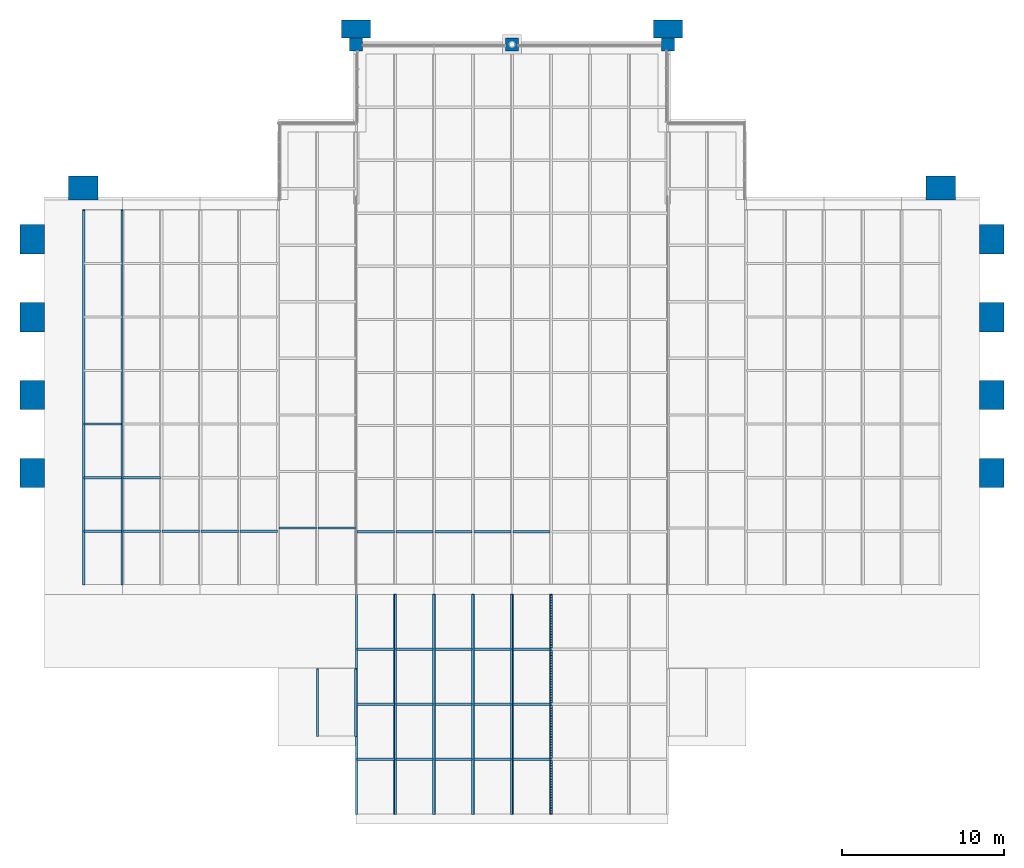
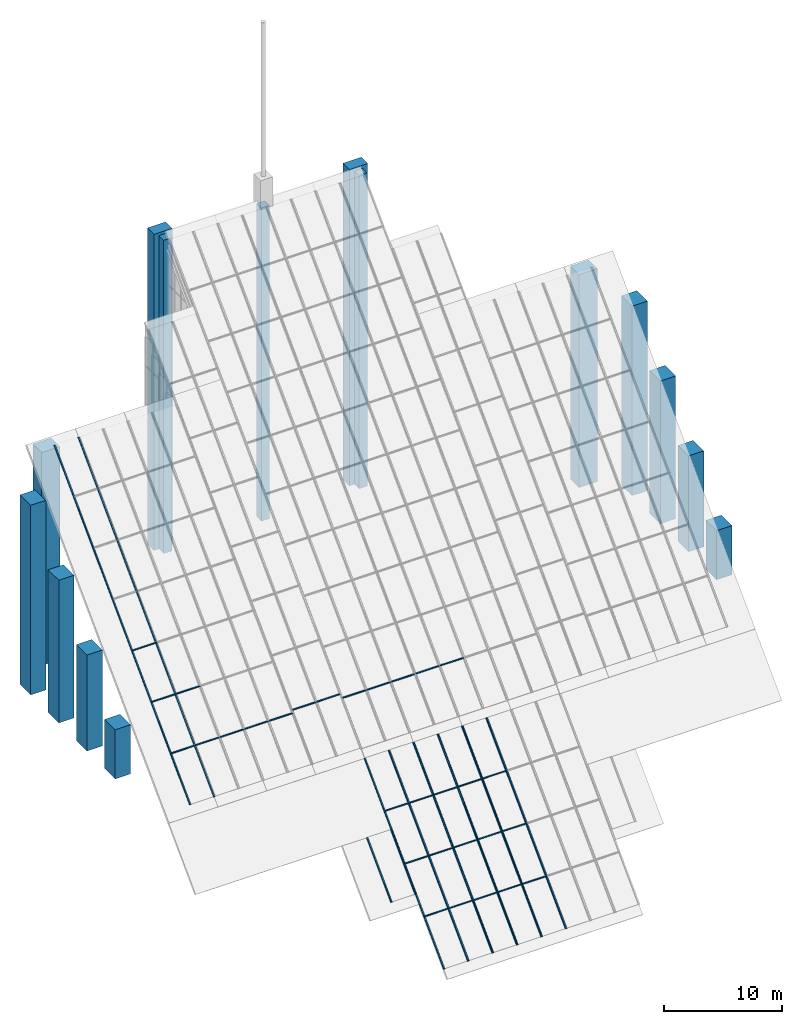
# One storey, part 1 of 25: 45 members, 15 columns, 19 elements without a shape of their own.
"""IFC4 building model written with IfcOpenShell, lengths in metres."""

import ifcopenshell
import ifcopenshell.guid

model = None  # the IFC model being written
_history = None  # IfcOwnerHistory: only IFC2X3 demands one
_inside = {}  # id of a spatial element -> (the spatial element, [elements in it])
_under = {}  # id of a project, library or spatial element -> (it, [spatial elements below it])
_declared = {}  # id of a project -> (the project, [libraries it declares])
_typed = {}  # id of a type object -> (the type object, [elements of that type])
_made_of = {}  # id of a material, layer set ... -> (it, [elements and type objects made of it])


def new_model(schema):
    """Start an empty IFC model of exactly this schema.

    Asked for "IFC4X3", IfcOpenShell would pick the latest addendum, in which some entities
    have other attributes; the version numbers below select the first issue.
    IFC2X3 requires an IfcOwnerHistory on every rooted entity: one is made here for all.
    """
    global model, _history
    if schema == "IFC4X3":
        model = ifcopenshell.file(schema_version=(4, 3, 0, 0))
    else:
        model = ifcopenshell.file(schema=schema)
    _inside.clear()
    _under.clear()
    _declared.clear()
    _typed.clear()
    _made_of.clear()
    _history = None
    if model.schema == "IFC2X3":
        org = make("IfcOrganization", Name="unknown")
        user = make(
            "IfcPersonAndOrganization",
            ThePerson=make("IfcPerson", FamilyName="unknown"),
            TheOrganization=org,
        )
        app = make(
            "IfcApplication",
            ApplicationDeveloper=org,
            Version="unknown",
            ApplicationFullName="unknown",
            ApplicationIdentifier="unknown",
        )
        _history = make(
            "IfcOwnerHistory",
            OwningUser=user,
            OwningApplication=app,
            ChangeAction="ADDED",
            CreationDate=0,
        )
    return model


def make(cls, **values):
    """One entity of the class cls with the attributes given. An attribute that is None is left unset."""
    return model.create_entity(
        cls, **{name: value for name, value in values.items() if value is not None}
    )


def rooted(cls, **values):
    """An entity with a GlobalId (a new one), such as an element, a storey or a relation."""
    return make(cls, GlobalId=ifcopenshell.guid.new(), OwnerHistory=_history, **values)


def si_unit(unit_type, name, prefix=None):
    """IfcSIUnit, for example si_unit("LENGTHUNIT", "METRE", prefix="MILLI")."""
    return make("IfcSIUnit", UnitType=unit_type, Prefix=prefix, Name=name)


def assignment(units):
    """IfcUnitAssignment: the units of a project."""
    return None if units is None else make("IfcUnitAssignment", Units=units)


def point(xyz):
    """IfcCartesianPoint."""
    return None if xyz is None else make("IfcCartesianPoint", Coordinates=xyz)


def direction(xyz):
    """IfcDirection."""
    return None if xyz is None else make("IfcDirection", DirectionRatios=xyz)


def frame(location, z_axis=None, x_axis=None):
    """IfcAxis2Placement3D, a coordinate frame: its origin and axes. An axis left out is left unset."""
    return make(
        "IfcAxis2Placement3D",
        Location=point(location),
        Axis=direction(z_axis),
        RefDirection=direction(x_axis),
    )


def frame_2d(location, x_axis=None):
    """IfcAxis2Placement2D, a coordinate frame in the plane: its origin and x axis."""
    return make(
        "IfcAxis2Placement2D", Location=point(location), RefDirection=direction(x_axis)
    )


def origin():
    """The frame at (0, 0, 0) with its axes left unset."""
    return frame((0.0, 0.0, 0.0))


def origin_2d():
    """The frame at (0, 0) in the plane with its x axis left unset."""
    return frame_2d((0.0, 0.0))


def place(relative_to, where):
    """IfcLocalPlacement: puts the frame where relative to a parent placement (None: the world)."""
    return make(
        "IfcLocalPlacement", PlacementRelTo=relative_to, RelativePlacement=where
    )


def context(
    kind, dimensions, precision=None, world=None, true_north=None, identifier=None
):
    """IfcGeometricRepresentationContext, for example the 3D "Model" context."""
    return make(
        "IfcGeometricRepresentationContext",
        ContextIdentifier=identifier,
        ContextType=kind,
        CoordinateSpaceDimension=dimensions,
        Precision=precision,
        WorldCoordinateSystem=world,
        TrueNorth=true_north,
    )


def subcontext(parent, identifier, kind, view, scale=None):
    """IfcGeometricRepresentationSubContext, for example "Body" below "Model"."""
    return make(
        "IfcGeometricRepresentationSubContext",
        ContextIdentifier=identifier,
        ContextType=kind,
        ParentContext=parent,
        TargetScale=scale,
        TargetView=view,
    )


def project(units=None, contexts=None):
    """IfcProject with its units and contexts."""
    return rooted(
        "IfcProject",
        Name="project",
        RepresentationContexts=contexts,
        UnitsInContext=assignment(units),
    )


def spatial(cls, under=None, at=None, **own):
    """A site, building, storey or space (cls), placed at a placement, below another one or the project."""
    s = rooted(cls, ObjectPlacement=at, **own)
    if under is not None:
        _under.setdefault(under.id(), (under, []))[1].append(s)
    return s


def profile(cls, at=None, kind="AREA", **sizes):
    """A parametric profile (cls). Its sizes go by their IFC names, for example OverallWidth=200.0."""
    return make(cls, ProfileType=kind, Position=at, **sizes)


def rectangle(**sizes):
    """IfcRectangleProfileDef."""
    return profile("IfcRectangleProfileDef", **sizes)


def extrude(swept, where, along, depth):
    """IfcExtrudedAreaSolid: the profile swept, set in the frame where, extruded along a direction by depth."""
    return make(
        "IfcExtrudedAreaSolid",
        SweptArea=swept,
        Position=where,
        ExtrudedDirection=direction(along),
        Depth=depth,
    )


def shape(context_of_items, identifier, shape_type, items):
    """IfcShapeRepresentation: the items that make up one representation, for example the "Body"."""
    return make(
        "IfcShapeRepresentation",
        ContextOfItems=context_of_items,
        RepresentationIdentifier=identifier,
        RepresentationType=shape_type,
        Items=items,
    )


def material(Name=None, Category=None):
    """IfcMaterial."""
    return make("IfcMaterial", Name=Name, Category=Category)


def material_profile(
    of_material, cross_section, Name=None, Category=None, Priority=None
):
    """IfcMaterialProfile: a cross section and its material."""
    return make(
        "IfcMaterialProfile",
        Name=Name,
        Material=of_material,
        Profile=cross_section,
        Priority=Priority,
        Category=Category,
    )


def profile_set(profiles, Name=None, composite=None):
    """IfcMaterialProfileSet."""
    return make(
        "IfcMaterialProfileSet",
        Name=Name,
        MaterialProfiles=profiles,
        CompositeProfile=composite,
    )


def made_of(thing, what):
    """Note that an element or type object is made of a material, layer set ...; save() writes the relation."""
    if what is not None:
        _made_of.setdefault(what.id(), (what, []))[1].append(thing)
    return thing


def type_object(cls, material=None, **own):
    """A type object (cls), such as IfcWallType, which elements share."""
    return made_of(rooted(cls, **own), material)


def element(
    cls,
    number,
    at=None,
    inside=None,
    cuts=None,
    type_object=None,
    material=None,
    context=None,
    identifier="Body",
    shape_type=None,
    held_by="IfcProductDefinitionShape",
    body=None,
    shapes=None,
    **own,
):
    """One element of the class cls, such as IfcWall. Its Tag is "e" and its number.

    at: its placement. inside: the storey or other place that contains it. cuts: it is an
    opening in that element (IfcRelVoidsElement). A single representation is given by context,
    identifier, shape_type and body (its items); several are given by shapes. held_by: the class
    of the entity that holds the representations. save() writes the other relations.
    """
    e = rooted(cls, Tag="e%d" % number, ObjectPlacement=at, **own)
    if body is not None:
        shapes = [shape(context, identifier, shape_type, body)]
    if shapes is not None:
        e.Representation = make(held_by, Representations=shapes)
    if inside is not None:
        _inside.setdefault(inside.id(), (inside, []))[1].append(e)
    if cuts is not None:
        rooted(
            "IfcRelVoidsElement", RelatingBuildingElement=cuts, RelatedOpeningElement=e
        )
    if type_object is not None:
        _typed.setdefault(type_object.id(), (type_object, []))[1].append(e)
    return made_of(e, material)


def aggregate(whole, parts):
    """IfcRelAggregates: a whole, such as a stair, and the parts it consists of."""
    return rooted("IfcRelAggregates", RelatingObject=whole, RelatedObjects=parts)


def save(model, path):
    """Write the relations noted so far, then the file.

    IfcRelAggregates (storeys below a building ...), IfcRelContainedInSpatialStructure (elements
    in a storey), IfcRelDefinesByType, IfcRelAssociatesMaterial and IfcRelDeclares: one each for
    every whole, place, type object, material and project.
    """
    for whole, parts in _under.values():
        aggregate(whole, parts)
    for where, things in _inside.values():
        rooted(
            "IfcRelContainedInSpatialStructure",
            RelatedElements=things,
            RelatingStructure=where,
        )
    for kind, things in _typed.values():
        rooted("IfcRelDefinesByType", RelatedObjects=things, RelatingType=kind)
    for what, things in _made_of.values():
        rooted("IfcRelAssociatesMaterial", RelatedObjects=things, RelatingMaterial=what)
    for by, libraries in _declared.values():
        rooted("IfcRelDeclares", RelatingContext=by, RelatedDefinitions=libraries)
    model.write(path)


model = new_model("IFC4")

# Units and contexts
model_context = context("Model", 3, precision=1e-05, world=origin(), true_north=direction((0.0, 1.0)))
body_context = subcontext(model_context, "Body", "Model", "MODEL_VIEW")
ifc_project = project(units=[si_unit("LENGTHUNIT", "METRE"), si_unit("AREAUNIT", "SQUARE_METRE"), si_unit("VOLUMEUNIT", "CUBIC_METRE"), si_unit("PLANEANGLEUNIT", "RADIAN"), si_unit("MASSUNIT", "GRAM", prefix="KILO")], contexts=[model_context])

# Site, building, storey
site_placement = place(None, origin())
site = spatial("IfcSite", under=ifc_project, at=site_placement, CompositionType="ELEMENT")
building_placement = place(site_placement, origin())
building = spatial("IfcBuilding", under=site, at=building_placement, Name="Baori Bourse Tower", CompositionType="ELEMENT")
storey_placement = place(building_placement, frame((0.0, 0.0, 378.300048828125)))
storey = spatial("IfcBuildingStorey", under=building, at=storey_placement, Name="Roof", CompositionType="ELEMENT", Elevation=378.300048828125)

# Columns
ifc_material_1 = material(Name="Concrete f'c 60 MPa", Category="concrete")
ifc_material_profile_1 = material_profile(ifc_material_1, rectangle(XDim=1.800048828125, YDim=1.10009765625, at=origin_2d()), Name="RC 1800x1100")
ifc_profile_set_1 = profile_set([ifc_material_profile_1], Name="Concrete f'c 60 MPa")
column_type_1 = type_object("IfcColumnType", Name="FN3 Brick pilaster 1800x1100", PredefinedType="PILASTER", material=ifc_profile_set_1)
for number, where, z_axis, x_axis, name in (
    (1, (19.199951171875, 48.949951171875, 0.0), (0.0, 0.0, 1.0), (1.0, 0.0, 0.0), "Brick pilaster Roof 1"),
    (2, (38.39990234375, 48.949951171875, 0.0), (0.0, 0.0, 1.0), (1.0, 0.0, 0.0), "Brick pilaster Roof 2"),
):
    element("IfcColumn", number, at=place(storey_placement, frame(where, z_axis=z_axis, x_axis=x_axis)), inside=storey, type_object=column_type_1, Name=name, PredefinedType="PILASTER", context=body_context, shape_type="SweptSolid", body=[
        extrude(rectangle(XDim=1.800048828125, YDim=1.10009765625, at=origin_2d()), origin(), (0.0, 0.0, 1.0), 32.849853515625),
    ])
ifc_material_2 = material(Name="Concrete f'c 60 MPa", Category="concrete")
ifc_material_profile_2 = material_profile(ifc_material_2, rectangle(XDim=1.800048828125, YDim=1.5, at=origin_2d()), Name="RC 1800x1500")
ifc_profile_set_2 = profile_set([ifc_material_profile_2], Name="Concrete f'c 60 MPa")
column_type_2 = type_object("IfcColumnType", Name="FN4 Brick flank pilaster 1800x1500", PredefinedType="PILASTER", material=ifc_profile_set_2)
column_1_placement = place(storey_placement, frame((-0.75, 21.60009765625, 0.0), z_axis=(0.0, 0.0, 1.0), x_axis=(0.0, 1.0, 0.0)))
element("IfcColumn", 3, at=column_1_placement, inside=storey, type_object=column_type_2, Name="Brick pilaster Roof 3", PredefinedType="PILASTER", context=body_context, shape_type="SweptSolid", body=[
    extrude(rectangle(XDim=1.800048828125, YDim=1.5, at=origin_2d()), origin(), (0.0, 0.0, 1.0), 5.107421875),
])
column_2_placement = place(storey_placement, frame((-0.75, 26.39990234375, 0.0), z_axis=(0.0, 0.0, 1.0), x_axis=(0.0, 1.0, 0.0)))
element("IfcColumn", 4, at=column_2_placement, inside=storey, type_object=column_type_2, Name="Brick pilaster Roof 4", PredefinedType="PILASTER", context=body_context, shape_type="SweptSolid", body=[
    extrude(rectangle(XDim=1.800048828125, YDim=1.5, at=origin_2d()), origin(), (0.0, 0.0, 1.0), 9.967529296875),
])
column_3_placement = place(storey_placement, frame((-0.75, 31.199951171875, 0.0), z_axis=(0.0, 0.0, 1.0), x_axis=(0.0, 1.0, 0.0)))
element("IfcColumn", 5, at=column_3_placement, inside=storey, type_object=column_type_2, Name="Brick pilaster Roof 5", PredefinedType="PILASTER", context=body_context, shape_type="SweptSolid", body=[
    extrude(rectangle(XDim=1.800048828125, YDim=1.5, at=origin_2d()), origin(), (0.0, 0.0, 1.0), 14.827392578125),
])
column_4_placement = place(storey_placement, frame((-0.75, 36.0, 0.0), z_axis=(0.0, 0.0, 1.0), x_axis=(0.0, 1.0, 0.0)))
element("IfcColumn", 6, at=column_4_placement, inside=storey, type_object=column_type_2, Name="Brick pilaster Roof 6", PredefinedType="PILASTER", context=body_context, shape_type="SweptSolid", body=[
    extrude(rectangle(XDim=1.800048828125, YDim=1.5, at=origin_2d()), origin(), (0.0, 0.0, 1.0), 19.6875),
])
column_5_placement = place(storey_placement, frame((58.35009765625, 21.60009765625, 0.0), z_axis=(0.0, 0.0, 1.0), x_axis=(0.0, 1.0, 0.0)))
element("IfcColumn", 7, at=column_5_placement, inside=storey, type_object=column_type_2, Name="Brick pilaster Roof 7", PredefinedType="PILASTER", context=body_context, shape_type="SweptSolid", body=[
    extrude(rectangle(XDim=1.800048828125, YDim=1.5, at=origin_2d()), origin(), (0.0, 0.0, 1.0), 5.107421875),
])
column_6_placement = place(storey_placement, frame((58.35009765625, 26.39990234375, 0.0), z_axis=(0.0, 0.0, 1.0), x_axis=(0.0, 1.0, 0.0)))
element("IfcColumn", 8, at=column_6_placement, inside=storey, type_object=column_type_2, Name="Brick pilaster Roof 8", PredefinedType="PILASTER", context=body_context, shape_type="SweptSolid", body=[
    extrude(rectangle(XDim=1.800048828125, YDim=1.5, at=origin_2d()), origin(), (0.0, 0.0, 1.0), 9.967529296875),
])
column_7_placement = place(storey_placement, frame((58.35009765625, 31.199951171875, 0.0), z_axis=(0.0, 0.0, 1.0), x_axis=(0.0, 1.0, 0.0)))
element("IfcColumn", 9, at=column_7_placement, inside=storey, type_object=column_type_2, Name="Brick pilaster Roof 9", PredefinedType="PILASTER", context=body_context, shape_type="SweptSolid", body=[
    extrude(rectangle(XDim=1.800048828125, YDim=1.5, at=origin_2d()), origin(), (0.0, 0.0, 1.0), 14.827392578125),
])
column_8_placement = place(storey_placement, frame((58.35009765625, 36.0, 0.0), z_axis=(0.0, 0.0, 1.0), x_axis=(0.0, 1.0, 0.0)))
element("IfcColumn", 10, at=column_8_placement, inside=storey, type_object=column_type_2, Name="Brick pilaster Roof 10", PredefinedType="PILASTER", context=body_context, shape_type="SweptSolid", body=[
    extrude(rectangle(XDim=1.800048828125, YDim=1.5, at=origin_2d()), origin(), (0.0, 0.0, 1.0), 19.6875),
])
for number, where, z_axis, x_axis, name in (
    (11, (55.199951171875, 39.14990234375, 0.0), (0.0, 0.0, 1.0), (1.0, 0.0, 0.0), "Brick pilaster Roof 11"),
    (12, (2.39990234375, 39.14990234375, 0.0), (0.0, 0.0, 1.0), (1.0, 0.0, 0.0), "Brick pilaster Roof 12"),
):
    element("IfcColumn", number, at=place(storey_placement, frame(where, z_axis=z_axis, x_axis=x_axis)), inside=storey, type_object=column_type_2, Name=name, PredefinedType="PILASTER", context=body_context, shape_type="SweptSolid", body=[
        extrude(rectangle(XDim=1.800048828125, YDim=1.5, at=origin_2d()), origin(), (0.0, 0.0, 1.0), 22.117431640625),
    ])
ifc_material_3 = material(Name="Concrete f'c 40 MPa", Category="concrete")
ifc_material_profile_3 = material_profile(ifc_material_3, rectangle(XDim=0.800048828125, YDim=0.800048828125, at=origin_2d()), Name="RC 800x800")
ifc_profile_set_3 = profile_set([ifc_material_profile_3], Name="Concrete f'c 40 MPa")
column_type_3 = type_object("IfcColumnType", Name="Perimeter column 40 RC 800x800", PredefinedType="COLUMN", material=ifc_profile_set_3)
for number, where, z_axis, x_axis, name in (
    (13, (19.199951171875, 48.0, 0.0), (0.0, 0.0, 1.0), (1.0, 0.0, 0.0), "Perimeter column Roof"),
    (14, (28.800048828125, 48.0, 0.0), (0.0, 0.0, 1.0), (1.0, 0.0, 0.0), "Perimeter column Roof"),
    (15, (38.39990234375, 48.0, 0.0), (0.0, 0.0, 1.0), (1.0, 0.0, 0.0), "Perimeter column Roof"),
):
    element("IfcColumn", number, at=place(storey_placement, frame(where, z_axis=z_axis, x_axis=x_axis)), inside=storey, type_object=column_type_3, Name=name, PredefinedType="COLUMN", context=body_context, shape_type="SweptSolid", body=[
        extrude(rectangle(XDim=0.800048828125, YDim=0.800048828125, at=origin_2d()), origin(), (0.0, 0.0, 1.0), 32.541748046875),
    ])

# Curtain wall, members
ifc_material_4 = material(Name="Pale anodised aluminium", Category="aluminium")
curtain_wall_type = type_object("IfcCurtainWallType", Name="CW4 Curtain wall", PredefinedType="NOTDEFINED", material=ifc_material_4)
curtain_wall_1_placement = place(storey_placement, origin())
curtain_wall_1 = element("IfcCurtainWall", 16, at=curtain_wall_1_placement, inside=storey, type_object=curtain_wall_type, Name="Curtain wall CW4 roof glazing 1", PredefinedType="NOTDEFINED")
ifc_material_5 = material(Name="Pale anodised aluminium", Category="aluminium")
ifc_material_profile_4 = material_profile(ifc_material_5, rectangle(XDim=0.139892578125, YDim=0.050048828125, at=origin_2d()), Name="Mullion 50x140")
ifc_profile_set_4 = profile_set([ifc_material_profile_4], Name="Pale anodised aluminium")
member_type_1 = type_object("IfcMemberType", Name="CW4 Curtain wall mullion", PredefinedType="MULLION", material=ifc_profile_set_4)
member_1_placement = place(storey_placement, frame((2.425048828125, 14.723388671875, -0.407470703125), z_axis=(0.0, 0.702703210407, 0.711483097539), x_axis=(-1.0, 0.0, 0.0)))
member_1 = element("IfcMember", 17, at=member_1_placement, type_object=member_type_1, Name="Curtain wall CW4 rail 1.1", PredefinedType="MULLION", context=body_context, shape_type="SweptSolid", body=[
    extrude(rectangle(XDim=0.139892578125, YDim=0.050048828125, at=origin_2d()), origin(), (0.0, 0.0, 1.0), 32.83984375),
])
member_2_placement = place(storey_placement, frame((4.77490234375, 14.723388671875, -0.407470703125), z_axis=(0.0, 0.702703210407, 0.711483097539), x_axis=(-1.0, 0.0, 0.0)))
member_2 = element("IfcMember", 18, at=member_2_placement, type_object=member_type_1, Name="Curtain wall CW4 rail 1.2", PredefinedType="MULLION", context=body_context, shape_type="SweptSolid", body=[
    extrude(rectangle(XDim=0.139892578125, YDim=0.050048828125, at=origin_2d()), origin(), (0.0, 0.0, 1.0), 32.83984375),
])

curtain_wall_2_placement = place(storey_placement, origin())
curtain_wall_2 = element("IfcCurtainWall", 19, at=curtain_wall_2_placement, inside=storey, type_object=curtain_wall_type, Name="Curtain wall CW4 roof glazing 8", PredefinedType="NOTDEFINED")
member_3_placement = place(storey_placement, frame((16.824951171875, 5.39990234375, -9.932861328125), z_axis=(0.0, 0.702711334446, 0.711475073661), x_axis=(-1.0, 0.0, 0.0)))
member_3 = element("IfcMember", 20, at=member_3_placement, type_object=member_type_1, Name="Curtain wall CW4 rail 8.1", PredefinedType="MULLION", context=body_context, shape_type="SweptSolid", body=[
    extrude(rectangle(XDim=0.139892578125, YDim=0.050048828125, at=origin_2d()), origin(), (0.0, 0.0, 1.0), 5.906005859375),
])
member_4_placement = place(storey_placement, frame((19.175048828125, 5.39990234375, -9.932861328125), z_axis=(0.0, 0.702711334446, 0.711475073661), x_axis=(-1.0, 0.0, 0.0)))
member_4 = element("IfcMember", 21, at=member_4_placement, type_object=member_type_1, Name="Curtain wall CW4 rail 8.2", PredefinedType="MULLION", context=body_context, shape_type="SweptSolid", body=[
    extrude(rectangle(XDim=0.139892578125, YDim=0.050048828125, at=origin_2d()), origin(), (0.0, 0.0, 1.0), 5.906005859375),
])
aggregate(curtain_wall_2, [member_3, member_4])

curtain_wall_3_placement = place(storey_placement, origin())
curtain_wall_3 = element("IfcCurtainWall", 22, at=curtain_wall_3_placement, inside=storey, type_object=curtain_wall_type, Name="Curtain wall CW4 roof glazing 10", PredefinedType="NOTDEFINED")
member_5_placement = place(storey_placement, frame((19.22509765625, 0.60009765625, -14.79296875), z_axis=(0.0, 0.702697770949, 0.711488469831), x_axis=(-1.0, 0.0, 0.0)))
member_5 = element("IfcMember", 23, at=member_5_placement, type_object=member_type_1, Name="Curtain wall CW4 rail 10.1", PredefinedType="MULLION", context=body_context, shape_type="SweptSolid", body=[
    extrude(rectangle(XDim=0.139892578125, YDim=0.050048828125, at=origin_2d()), origin(), (0.0, 0.0, 1.0), 19.246337890625),
])
member_6_placement = place(storey_placement, frame((21.574951171875, 0.60009765625, -14.79296875), z_axis=(0.0, 0.702697770949, 0.711488469831), x_axis=(-1.0, 0.0, 0.0)))
member_6 = element("IfcMember", 24, at=member_6_placement, type_object=member_type_1, Name="Curtain wall CW4 rail 10.2", PredefinedType="MULLION", context=body_context, shape_type="SweptSolid", body=[
    extrude(rectangle(XDim=0.139892578125, YDim=0.050048828125, at=origin_2d()), origin(), (0.0, 0.0, 1.0), 19.246337890625),
])

curtain_wall_4_placement = place(storey_placement, origin())
curtain_wall_4 = element("IfcCurtainWall", 25, at=curtain_wall_4_placement, inside=storey, type_object=curtain_wall_type, Name="Curtain wall CW4 roof glazing 12", PredefinedType="NOTDEFINED")
member_7_placement = place(storey_placement, frame((21.625, 0.60009765625, -14.79296875), z_axis=(0.0, 0.702697770949, 0.711488469831), x_axis=(-1.0, 0.0, 0.0)))
member_7 = element("IfcMember", 26, at=member_7_placement, type_object=member_type_1, Name="Curtain wall CW4 rail 12.1", PredefinedType="MULLION", context=body_context, shape_type="SweptSolid", body=[
    extrude(rectangle(XDim=0.139892578125, YDim=0.050048828125, at=origin_2d()), origin(), (0.0, 0.0, 1.0), 19.246337890625),
])
member_8_placement = place(storey_placement, frame((23.97509765625, 0.60009765625, -14.79296875), z_axis=(0.0, 0.702697770949, 0.711488469831), x_axis=(-1.0, 0.0, 0.0)))
member_8 = element("IfcMember", 27, at=member_8_placement, type_object=member_type_1, Name="Curtain wall CW4 rail 12.2", PredefinedType="MULLION", context=body_context, shape_type="SweptSolid", body=[
    extrude(rectangle(XDim=0.139892578125, YDim=0.050048828125, at=origin_2d()), origin(), (0.0, 0.0, 1.0), 19.246337890625),
])

curtain_wall_5_placement = place(storey_placement, origin())
curtain_wall_5 = element("IfcCurtainWall", 28, at=curtain_wall_5_placement, inside=storey, type_object=curtain_wall_type, Name="Curtain wall CW4 roof glazing 14", PredefinedType="NOTDEFINED")
member_9_placement = place(storey_placement, frame((24.02490234375, 0.60009765625, -14.79296875), z_axis=(0.0, 0.702697770949, 0.711488469831), x_axis=(-1.0, 0.0, 0.0)))
member_9 = element("IfcMember", 29, at=member_9_placement, type_object=member_type_1, Name="Curtain wall CW4 rail 14.1", PredefinedType="MULLION", context=body_context, shape_type="SweptSolid", body=[
    extrude(rectangle(XDim=0.139892578125, YDim=0.050048828125, at=origin_2d()), origin(), (0.0, 0.0, 1.0), 19.246337890625),
])
member_10_placement = place(storey_placement, frame((26.375, 0.60009765625, -14.79296875), z_axis=(0.0, 0.702697770949, 0.711488469831), x_axis=(-1.0, 0.0, 0.0)))
member_10 = element("IfcMember", 30, at=member_10_placement, type_object=member_type_1, Name="Curtain wall CW4 rail 14.2", PredefinedType="MULLION", context=body_context, shape_type="SweptSolid", body=[
    extrude(rectangle(XDim=0.139892578125, YDim=0.050048828125, at=origin_2d()), origin(), (0.0, 0.0, 1.0), 19.246337890625),
])

curtain_wall_6_placement = place(storey_placement, origin())
curtain_wall_6 = element("IfcCurtainWall", 31, at=curtain_wall_6_placement, inside=storey, type_object=curtain_wall_type, Name="Curtain wall CW4 roof glazing 16", PredefinedType="NOTDEFINED")
member_11_placement = place(storey_placement, frame((26.425048828125, 0.60009765625, -14.79296875), z_axis=(0.0, 0.702697770949, 0.711488469831), x_axis=(-1.0, 0.0, 0.0)))
member_11 = element("IfcMember", 32, at=member_11_placement, type_object=member_type_1, Name="Curtain wall CW4 rail 16.1", PredefinedType="MULLION", context=body_context, shape_type="SweptSolid", body=[
    extrude(rectangle(XDim=0.139892578125, YDim=0.050048828125, at=origin_2d()), origin(), (0.0, 0.0, 1.0), 19.246337890625),
])
member_12_placement = place(storey_placement, frame((28.77490234375, 0.60009765625, -14.79296875), z_axis=(0.0, 0.702697770949, 0.711488469831), x_axis=(-1.0, 0.0, 0.0)))
member_12 = element("IfcMember", 33, at=member_12_placement, type_object=member_type_1, Name="Curtain wall CW4 rail 16.2", PredefinedType="MULLION", context=body_context, shape_type="SweptSolid", body=[
    extrude(rectangle(XDim=0.139892578125, YDim=0.050048828125, at=origin_2d()), origin(), (0.0, 0.0, 1.0), 19.246337890625),
])

curtain_wall_7_placement = place(storey_placement, origin())
curtain_wall_7 = element("IfcCurtainWall", 34, at=curtain_wall_7_placement, inside=storey, type_object=curtain_wall_type, Name="Curtain wall CW4 roof glazing 18", PredefinedType="NOTDEFINED")
member_13_placement = place(storey_placement, frame((28.824951171875, 0.60009765625, -14.79296875), z_axis=(0.0, 0.702697770949, 0.711488469831), x_axis=(-1.0, 0.0, 0.0)))
member_13 = element("IfcMember", 35, at=member_13_placement, type_object=member_type_1, Name="Curtain wall CW4 rail 18.1", PredefinedType="MULLION", context=body_context, shape_type="SweptSolid", body=[
    extrude(rectangle(XDim=0.139892578125, YDim=0.050048828125, at=origin_2d()), origin(), (0.0, 0.0, 1.0), 19.246337890625),
])
member_14_placement = place(storey_placement, frame((31.175048828125, 0.60009765625, -14.79296875), z_axis=(0.0, 0.702697770949, 0.711488469831), x_axis=(-1.0, 0.0, 0.0)))
member_14 = element("IfcMember", 36, at=member_14_placement, type_object=member_type_1, Name="Curtain wall CW4 rail 18.2", PredefinedType="MULLION", context=body_context, shape_type="SweptSolid", body=[
    extrude(rectangle(XDim=0.139892578125, YDim=0.050048828125, at=origin_2d()), origin(), (0.0, 0.0, 1.0), 19.246337890625),
])

# Curtain wall, member
curtain_wall_8_placement = place(storey_placement, origin())
curtain_wall_8 = element("IfcCurtainWall", 37, at=curtain_wall_8_placement, inside=storey, type_object=curtain_wall_type, Name="Curtain wall CW4 roof glazing 20", PredefinedType="NOTDEFINED")
member_15_placement = place(storey_placement, frame((31.22509765625, 0.60009765625, -14.79296875), z_axis=(0.0, 0.702697770949, 0.711488469831), x_axis=(-1.0, 0.0, 0.0)))
member_15 = element("IfcMember", 38, at=member_15_placement, type_object=member_type_1, Name="Curtain wall CW4 rail 20.1", PredefinedType="MULLION", context=body_context, shape_type="SweptSolid", body=[
    extrude(rectangle(XDim=0.139892578125, YDim=0.050048828125, at=origin_2d()), origin(), (0.0, 0.0, 1.0), 19.246337890625),
])
aggregate(curtain_wall_8, [member_15])

# Member
ifc_material_6 = material(Name="Pale anodised aluminium", Category="aluminium")
ifc_material_profile_5 = material_profile(ifc_material_6, rectangle(XDim=0.139892578125, YDim=0.054931640625, at=origin_2d()), Name="Transom 55x140")
ifc_profile_set_5 = profile_set([ifc_material_profile_5], Name="Pale anodised aluminium")
member_type_2 = type_object("IfcMemberType", Name="CW4 Curtain wall transom", PredefinedType="USERDEFINED", material=ifc_profile_set_5)
member_16_placement = place(storey_placement, frame((2.449951171875, 18.02001953125, 2.930419921875), z_axis=(1.0, 0.0, 0.0), x_axis=(0.0, 1.0, 0.0)))
member_16 = element("IfcMember", 39, at=member_16_placement, type_object=member_type_2, Name="Curtain wall CW4 cross bar 1.1", ObjectType="TRANSOM", PredefinedType="USERDEFINED", context=body_context, shape_type="SweptSolid", body=[
    extrude(rectangle(XDim=0.139892578125, YDim=0.054931640625, at=origin_2d()), origin(), (0.0, 0.0, 1.0), 2.300048828125),
])

member_17_placement = place(storey_placement, frame((2.449951171875, 21.316650390625, 6.26806640625), z_axis=(1.0, 0.0, 0.0), x_axis=(0.0, 1.0, 0.0)))
member_17 = element("IfcMember", 40, at=member_17_placement, type_object=member_type_2, Name="Curtain wall CW4 cross bar 1.2", ObjectType="TRANSOM", PredefinedType="USERDEFINED", context=body_context, shape_type="SweptSolid", body=[
    extrude(rectangle(XDim=0.139892578125, YDim=0.054931640625, at=origin_2d()), origin(), (0.0, 0.0, 1.0), 2.300048828125),
])

member_18_placement = place(storey_placement, frame((2.449951171875, 24.613525390625, 9.60595703125), z_axis=(1.0, 0.0, 0.0), x_axis=(0.0, 1.0, 0.0)))
member_18 = element("IfcMember", 41, at=member_18_placement, type_object=member_type_2, Name="Curtain wall CW4 cross bar 1.3", ObjectType="TRANSOM", PredefinedType="USERDEFINED", context=body_context, shape_type="SweptSolid", body=[
    extrude(rectangle(XDim=0.139892578125, YDim=0.054931640625, at=origin_2d()), origin(), (0.0, 0.0, 1.0), 2.300048828125),
])

aggregate(curtain_wall_1, [member_1, member_2, member_16, member_17, member_18])

# Curtain wall, members
curtain_wall_9_placement = place(storey_placement, origin())
curtain_wall_9 = element("IfcCurtainWall", 42, at=curtain_wall_9_placement, inside=storey, type_object=curtain_wall_type, Name="Curtain wall CW4 roof glazing 2", PredefinedType="NOTDEFINED")
member_19_placement = place(storey_placement, frame((4.85009765625, 18.02001953125, 2.930419921875), z_axis=(1.0, 0.0, 0.0), x_axis=(0.0, 1.0, 0.0)))
member_19 = element("IfcMember", 43, at=member_19_placement, type_object=member_type_2, Name="Curtain wall CW4 cross bar 2.1", ObjectType="TRANSOM", PredefinedType="USERDEFINED", context=body_context, shape_type="SweptSolid", body=[
    extrude(rectangle(XDim=0.139892578125, YDim=0.054931640625, at=origin_2d()), origin(), (0.0, 0.0, 1.0), 2.2998046875),
])
member_20_placement = place(storey_placement, frame((4.85009765625, 21.316650390625, 6.26806640625), z_axis=(1.0, 0.0, 0.0), x_axis=(0.0, 1.0, 0.0)))
member_20 = element("IfcMember", 44, at=member_20_placement, type_object=member_type_2, Name="Curtain wall CW4 cross bar 2.2", ObjectType="TRANSOM", PredefinedType="USERDEFINED", context=body_context, shape_type="SweptSolid", body=[
    extrude(rectangle(XDim=0.139892578125, YDim=0.054931640625, at=origin_2d()), origin(), (0.0, 0.0, 1.0), 2.2998046875),
])
aggregate(curtain_wall_9, [member_19, member_20])

# Curtain wall, member
curtain_wall_10_placement = place(storey_placement, origin())
curtain_wall_10 = element("IfcCurtainWall", 45, at=curtain_wall_10_placement, inside=storey, type_object=curtain_wall_type, Name="Curtain wall CW4 roof glazing 3", PredefinedType="NOTDEFINED")
member_21_placement = place(storey_placement, frame((7.25, 18.02001953125, 2.930419921875), z_axis=(1.0, 0.0, 0.0), x_axis=(0.0, 1.0, 0.0)))
member_21 = element("IfcMember", 46, at=member_21_placement, type_object=member_type_2, Name="Curtain wall CW4 cross bar 3.1", ObjectType="TRANSOM", PredefinedType="USERDEFINED", context=body_context, shape_type="SweptSolid", body=[
    extrude(rectangle(XDim=0.139892578125, YDim=0.054931640625, at=origin_2d()), origin(), (0.0, 0.0, 1.0), 2.300048828125),
])
aggregate(curtain_wall_10, [member_21])

curtain_wall_11_placement = place(storey_placement, origin())
curtain_wall_11 = element("IfcCurtainWall", 47, at=curtain_wall_11_placement, inside=storey, type_object=curtain_wall_type, Name="Curtain wall CW4 roof glazing 4", PredefinedType="NOTDEFINED")
member_22_placement = place(storey_placement, frame((9.64990234375, 18.02001953125, 2.930419921875), z_axis=(1.0, 0.0, 0.0), x_axis=(0.0, 1.0, 0.0)))
member_22 = element("IfcMember", 48, at=member_22_placement, type_object=member_type_2, Name="Curtain wall CW4 cross bar 4.1", ObjectType="TRANSOM", PredefinedType="USERDEFINED", context=body_context, shape_type="SweptSolid", body=[
    extrude(rectangle(XDim=0.139892578125, YDim=0.054931640625, at=origin_2d()), origin(), (0.0, 0.0, 1.0), 2.300048828125),
])
aggregate(curtain_wall_11, [member_22])

curtain_wall_12_placement = place(storey_placement, origin())
curtain_wall_12 = element("IfcCurtainWall", 49, at=curtain_wall_12_placement, inside=storey, type_object=curtain_wall_type, Name="Curtain wall CW4 roof glazing 5", PredefinedType="NOTDEFINED")
member_23_placement = place(storey_placement, frame((12.050048828125, 18.02001953125, 2.930419921875), z_axis=(1.0, 0.0, 0.0), x_axis=(0.0, 1.0, 0.0)))
member_23 = element("IfcMember", 50, at=member_23_placement, type_object=member_type_2, Name="Curtain wall CW4 cross bar 5.1", ObjectType="TRANSOM", PredefinedType="USERDEFINED", context=body_context, shape_type="SweptSolid", body=[
    extrude(rectangle(XDim=0.139892578125, YDim=0.054931640625, at=origin_2d()), origin(), (0.0, 0.0, 1.0), 2.300048828125),
])
aggregate(curtain_wall_12, [member_23])

curtain_wall_13_placement = place(storey_placement, origin())
curtain_wall_13 = element("IfcCurtainWall", 51, at=curtain_wall_13_placement, inside=storey, type_object=curtain_wall_type, Name="Curtain wall CW4 roof glazing 6", PredefinedType="NOTDEFINED")
member_24_placement = place(storey_placement, frame((14.449951171875, 18.2080078125, 3.12060546875), z_axis=(1.0, 0.0, 0.0), x_axis=(0.0, 1.0, 0.0)))
member_24 = element("IfcMember", 52, at=member_24_placement, type_object=member_type_2, Name="Curtain wall CW4 cross bar 6.1", ObjectType="TRANSOM", PredefinedType="USERDEFINED", context=body_context, shape_type="SweptSolid", body=[
    extrude(rectangle(XDim=0.139892578125, YDim=0.054931640625, at=origin_2d()), origin(), (0.0, 0.0, 1.0), 2.300048828125),
])
aggregate(curtain_wall_13, [member_24])

curtain_wall_14_placement = place(storey_placement, origin())
curtain_wall_14 = element("IfcCurtainWall", 53, at=curtain_wall_14_placement, inside=storey, type_object=curtain_wall_type, Name="Curtain wall CW4 roof glazing 7", PredefinedType="NOTDEFINED")
member_25_placement = place(storey_placement, frame((16.85009765625, 18.2080078125, 3.12060546875), z_axis=(1.0, 0.0, 0.0), x_axis=(0.0, 1.0, 0.0)))
member_25 = element("IfcMember", 54, at=member_25_placement, type_object=member_type_2, Name="Curtain wall CW4 cross bar 7.1", ObjectType="TRANSOM", PredefinedType="USERDEFINED", context=body_context, shape_type="SweptSolid", body=[
    extrude(rectangle(XDim=0.139892578125, YDim=0.054931640625, at=origin_2d()), origin(), (0.0, 0.0, 1.0), 2.2998046875),
])
aggregate(curtain_wall_14, [member_25])

curtain_wall_15_placement = place(storey_placement, origin())
curtain_wall_15 = element("IfcCurtainWall", 55, at=curtain_wall_15_placement, inside=storey, type_object=curtain_wall_type, Name="Curtain wall CW4 roof glazing 9", PredefinedType="NOTDEFINED")
member_26_placement = place(storey_placement, frame((19.25, 17.9912109375, 2.815673828125), z_axis=(1.0, 0.0, 0.0), x_axis=(0.0, 1.0, 0.0)))
member_26 = element("IfcMember", 56, at=member_26_placement, type_object=member_type_2, Name="Curtain wall CW4 cross bar 9.1", ObjectType="TRANSOM", PredefinedType="USERDEFINED", context=body_context, shape_type="SweptSolid", body=[
    extrude(rectangle(XDim=0.139892578125, YDim=0.054931640625, at=origin_2d()), origin(), (0.0, 0.0, 1.0), 2.300048828125),
])
aggregate(curtain_wall_15, [member_26])

# Member
member_27_placement = place(storey_placement, frame((19.25, 3.981201171875, -11.36962890625), z_axis=(1.0, 0.0, 0.0), x_axis=(0.0, 1.0, 0.0)))
member_27 = element("IfcMember", 57, at=member_27_placement, type_object=member_type_2, Name="Curtain wall CW4 cross bar 10.1", ObjectType="TRANSOM", PredefinedType="USERDEFINED", context=body_context, shape_type="SweptSolid", body=[
    extrude(rectangle(XDim=0.139892578125, YDim=0.054931640625, at=origin_2d()), origin(), (0.0, 0.0, 1.0), 2.300048828125),
])

member_28_placement = place(storey_placement, frame((19.25, 7.3623046875, -7.9462890625), z_axis=(1.0, 0.0, 0.0), x_axis=(0.0, 1.0, 0.0)))
member_28 = element("IfcMember", 58, at=member_28_placement, type_object=member_type_2, Name="Curtain wall CW4 cross bar 10.2", ObjectType="TRANSOM", PredefinedType="USERDEFINED", context=body_context, shape_type="SweptSolid", body=[
    extrude(rectangle(XDim=0.139892578125, YDim=0.054931640625, at=origin_2d()), origin(), (0.0, 0.0, 1.0), 2.300048828125),
])

member_29_placement = place(storey_placement, frame((19.25, 10.743408203125, -4.522705078125), z_axis=(1.0, 0.0, 0.0), x_axis=(0.0, 1.0, 0.0)))
member_29 = element("IfcMember", 59, at=member_29_placement, type_object=member_type_2, Name="Curtain wall CW4 cross bar 10.3", ObjectType="TRANSOM", PredefinedType="USERDEFINED", context=body_context, shape_type="SweptSolid", body=[
    extrude(rectangle(XDim=0.139892578125, YDim=0.054931640625, at=origin_2d()), origin(), (0.0, 0.0, 1.0), 2.300048828125),
])

aggregate(curtain_wall_3, [member_5, member_6, member_27, member_28, member_29])

# Curtain wall, member
curtain_wall_16_placement = place(storey_placement, origin())
curtain_wall_16 = element("IfcCurtainWall", 60, at=curtain_wall_16_placement, inside=storey, type_object=curtain_wall_type, Name="Curtain wall CW4 roof glazing 11", PredefinedType="NOTDEFINED")
member_30_placement = place(storey_placement, frame((21.64990234375, 17.9912109375, 2.815673828125), z_axis=(1.0, 0.0, 0.0), x_axis=(0.0, 1.0, 0.0)))
member_30 = element("IfcMember", 61, at=member_30_placement, type_object=member_type_2, Name="Curtain wall CW4 cross bar 11.1", ObjectType="TRANSOM", PredefinedType="USERDEFINED", context=body_context, shape_type="SweptSolid", body=[
    extrude(rectangle(XDim=0.139892578125, YDim=0.054931640625, at=origin_2d()), origin(), (0.0, 0.0, 1.0), 2.300048828125),
])
aggregate(curtain_wall_16, [member_30])

# Member
member_31_placement = place(storey_placement, frame((21.64990234375, 3.981201171875, -11.36962890625), z_axis=(1.0, 0.0, 0.0), x_axis=(0.0, 1.0, 0.0)))
member_31 = element("IfcMember", 62, at=member_31_placement, type_object=member_type_2, Name="Curtain wall CW4 cross bar 12.1", ObjectType="TRANSOM", PredefinedType="USERDEFINED", context=body_context, shape_type="SweptSolid", body=[
    extrude(rectangle(XDim=0.139892578125, YDim=0.054931640625, at=origin_2d()), origin(), (0.0, 0.0, 1.0), 2.300048828125),
])

member_32_placement = place(storey_placement, frame((21.64990234375, 7.3623046875, -7.9462890625), z_axis=(1.0, 0.0, 0.0), x_axis=(0.0, 1.0, 0.0)))
member_32 = element("IfcMember", 63, at=member_32_placement, type_object=member_type_2, Name="Curtain wall CW4 cross bar 12.2", ObjectType="TRANSOM", PredefinedType="USERDEFINED", context=body_context, shape_type="SweptSolid", body=[
    extrude(rectangle(XDim=0.139892578125, YDim=0.054931640625, at=origin_2d()), origin(), (0.0, 0.0, 1.0), 2.300048828125),
])

member_33_placement = place(storey_placement, frame((21.64990234375, 10.743408203125, -4.522705078125), z_axis=(1.0, 0.0, 0.0), x_axis=(0.0, 1.0, 0.0)))
member_33 = element("IfcMember", 64, at=member_33_placement, type_object=member_type_2, Name="Curtain wall CW4 cross bar 12.3", ObjectType="TRANSOM", PredefinedType="USERDEFINED", context=body_context, shape_type="SweptSolid", body=[
    extrude(rectangle(XDim=0.139892578125, YDim=0.054931640625, at=origin_2d()), origin(), (0.0, 0.0, 1.0), 2.300048828125),
])

aggregate(curtain_wall_4, [member_7, member_8, member_31, member_32, member_33])

# Curtain wall, member
curtain_wall_17_placement = place(storey_placement, origin())
curtain_wall_17 = element("IfcCurtainWall", 65, at=curtain_wall_17_placement, inside=storey, type_object=curtain_wall_type, Name="Curtain wall CW4 roof glazing 13", PredefinedType="NOTDEFINED")
member_34_placement = place(storey_placement, frame((24.050048828125, 17.9912109375, 2.815673828125), z_axis=(1.0, 0.0, 0.0), x_axis=(0.0, 1.0, 0.0)))
member_34 = element("IfcMember", 66, at=member_34_placement, type_object=member_type_2, Name="Curtain wall CW4 cross bar 13.1", ObjectType="TRANSOM", PredefinedType="USERDEFINED", context=body_context, shape_type="SweptSolid", body=[
    extrude(rectangle(XDim=0.139892578125, YDim=0.054931640625, at=origin_2d()), origin(), (0.0, 0.0, 1.0), 2.300048828125),
])
aggregate(curtain_wall_17, [member_34])

# Member
member_35_placement = place(storey_placement, frame((24.050048828125, 3.981201171875, -11.36962890625), z_axis=(1.0, 0.0, 0.0), x_axis=(0.0, 1.0, 0.0)))
member_35 = element("IfcMember", 67, at=member_35_placement, type_object=member_type_2, Name="Curtain wall CW4 cross bar 14.1", ObjectType="TRANSOM", PredefinedType="USERDEFINED", context=body_context, shape_type="SweptSolid", body=[
    extrude(rectangle(XDim=0.139892578125, YDim=0.054931640625, at=origin_2d()), origin(), (0.0, 0.0, 1.0), 2.300048828125),
])

member_36_placement = place(storey_placement, frame((24.050048828125, 7.3623046875, -7.9462890625), z_axis=(1.0, 0.0, 0.0), x_axis=(0.0, 1.0, 0.0)))
member_36 = element("IfcMember", 68, at=member_36_placement, type_object=member_type_2, Name="Curtain wall CW4 cross bar 14.2", ObjectType="TRANSOM", PredefinedType="USERDEFINED", context=body_context, shape_type="SweptSolid", body=[
    extrude(rectangle(XDim=0.139892578125, YDim=0.054931640625, at=origin_2d()), origin(), (0.0, 0.0, 1.0), 2.300048828125),
])

member_37_placement = place(storey_placement, frame((24.050048828125, 10.743408203125, -4.522705078125), z_axis=(1.0, 0.0, 0.0), x_axis=(0.0, 1.0, 0.0)))
member_37 = element("IfcMember", 69, at=member_37_placement, type_object=member_type_2, Name="Curtain wall CW4 cross bar 14.3", ObjectType="TRANSOM", PredefinedType="USERDEFINED", context=body_context, shape_type="SweptSolid", body=[
    extrude(rectangle(XDim=0.139892578125, YDim=0.054931640625, at=origin_2d()), origin(), (0.0, 0.0, 1.0), 2.300048828125),
])

aggregate(curtain_wall_5, [member_9, member_10, member_35, member_36, member_37])

# Curtain wall, member
curtain_wall_18_placement = place(storey_placement, origin())
curtain_wall_18 = element("IfcCurtainWall", 70, at=curtain_wall_18_placement, inside=storey, type_object=curtain_wall_type, Name="Curtain wall CW4 roof glazing 15", PredefinedType="NOTDEFINED")
member_38_placement = place(storey_placement, frame((26.449951171875, 17.9912109375, 2.815673828125), z_axis=(1.0, 0.0, 0.0), x_axis=(0.0, 1.0, 0.0)))
member_38 = element("IfcMember", 71, at=member_38_placement, type_object=member_type_2, Name="Curtain wall CW4 cross bar 15.1", ObjectType="TRANSOM", PredefinedType="USERDEFINED", context=body_context, shape_type="SweptSolid", body=[
    extrude(rectangle(XDim=0.139892578125, YDim=0.054931640625, at=origin_2d()), origin(), (0.0, 0.0, 1.0), 2.300048828125),
])
aggregate(curtain_wall_18, [member_38])

# Member
member_39_placement = place(storey_placement, frame((26.449951171875, 3.981201171875, -11.36962890625), z_axis=(1.0, 0.0, 0.0), x_axis=(0.0, 1.0, 0.0)))
member_39 = element("IfcMember", 72, at=member_39_placement, type_object=member_type_2, Name="Curtain wall CW4 cross bar 16.1", ObjectType="TRANSOM", PredefinedType="USERDEFINED", context=body_context, shape_type="SweptSolid", body=[
    extrude(rectangle(XDim=0.139892578125, YDim=0.054931640625, at=origin_2d()), origin(), (0.0, 0.0, 1.0), 2.300048828125),
])

member_40_placement = place(storey_placement, frame((26.449951171875, 7.3623046875, -7.9462890625), z_axis=(1.0, 0.0, 0.0), x_axis=(0.0, 1.0, 0.0)))
member_40 = element("IfcMember", 73, at=member_40_placement, type_object=member_type_2, Name="Curtain wall CW4 cross bar 16.2", ObjectType="TRANSOM", PredefinedType="USERDEFINED", context=body_context, shape_type="SweptSolid", body=[
    extrude(rectangle(XDim=0.139892578125, YDim=0.054931640625, at=origin_2d()), origin(), (0.0, 0.0, 1.0), 2.300048828125),
])

member_41_placement = place(storey_placement, frame((26.449951171875, 10.743408203125, -4.522705078125), z_axis=(1.0, 0.0, 0.0), x_axis=(0.0, 1.0, 0.0)))
member_41 = element("IfcMember", 74, at=member_41_placement, type_object=member_type_2, Name="Curtain wall CW4 cross bar 16.3", ObjectType="TRANSOM", PredefinedType="USERDEFINED", context=body_context, shape_type="SweptSolid", body=[
    extrude(rectangle(XDim=0.139892578125, YDim=0.054931640625, at=origin_2d()), origin(), (0.0, 0.0, 1.0), 2.300048828125),
])

aggregate(curtain_wall_6, [member_11, member_12, member_39, member_40, member_41])

# Curtain wall, member
curtain_wall_19_placement = place(storey_placement, origin())
curtain_wall_19 = element("IfcCurtainWall", 75, at=curtain_wall_19_placement, inside=storey, type_object=curtain_wall_type, Name="Curtain wall CW4 roof glazing 17", PredefinedType="NOTDEFINED")
member_42_placement = place(storey_placement, frame((28.85009765625, 17.9912109375, 2.815673828125), z_axis=(1.0, 0.0, 0.0), x_axis=(0.0, 1.0, 0.0)))
member_42 = element("IfcMember", 76, at=member_42_placement, type_object=member_type_2, Name="Curtain wall CW4 cross bar 17.1", ObjectType="TRANSOM", PredefinedType="USERDEFINED", context=body_context, shape_type="SweptSolid", body=[
    extrude(rectangle(XDim=0.139892578125, YDim=0.054931640625, at=origin_2d()), origin(), (0.0, 0.0, 1.0), 2.2998046875),
])
aggregate(curtain_wall_19, [member_42])

# Member
member_43_placement = place(storey_placement, frame((28.85009765625, 3.981201171875, -11.36962890625), z_axis=(1.0, 0.0, 0.0), x_axis=(0.0, 1.0, 0.0)))
member_43 = element("IfcMember", 77, at=member_43_placement, type_object=member_type_2, Name="Curtain wall CW4 cross bar 18.1", ObjectType="TRANSOM", PredefinedType="USERDEFINED", context=body_context, shape_type="SweptSolid", body=[
    extrude(rectangle(XDim=0.139892578125, YDim=0.054931640625, at=origin_2d()), origin(), (0.0, 0.0, 1.0), 2.2998046875),
])

member_44_placement = place(storey_placement, frame((28.85009765625, 7.3623046875, -7.9462890625), z_axis=(1.0, 0.0, 0.0), x_axis=(0.0, 1.0, 0.0)))
member_44 = element("IfcMember", 78, at=member_44_placement, type_object=member_type_2, Name="Curtain wall CW4 cross bar 18.2", ObjectType="TRANSOM", PredefinedType="USERDEFINED", context=body_context, shape_type="SweptSolid", body=[
    extrude(rectangle(XDim=0.139892578125, YDim=0.054931640625, at=origin_2d()), origin(), (0.0, 0.0, 1.0), 2.2998046875),
])

member_45_placement = place(storey_placement, frame((28.85009765625, 10.743408203125, -4.522705078125), z_axis=(1.0, 0.0, 0.0), x_axis=(0.0, 1.0, 0.0)))
member_45 = element("IfcMember", 79, at=member_45_placement, type_object=member_type_2, Name="Curtain wall CW4 cross bar 18.3", ObjectType="TRANSOM", PredefinedType="USERDEFINED", context=body_context, shape_type="SweptSolid", body=[
    extrude(rectangle(XDim=0.139892578125, YDim=0.054931640625, at=origin_2d()), origin(), (0.0, 0.0, 1.0), 2.2998046875),
])

aggregate(curtain_wall_7, [member_13, member_14, member_43, member_44, member_45])

save(model, "model.ifc")
